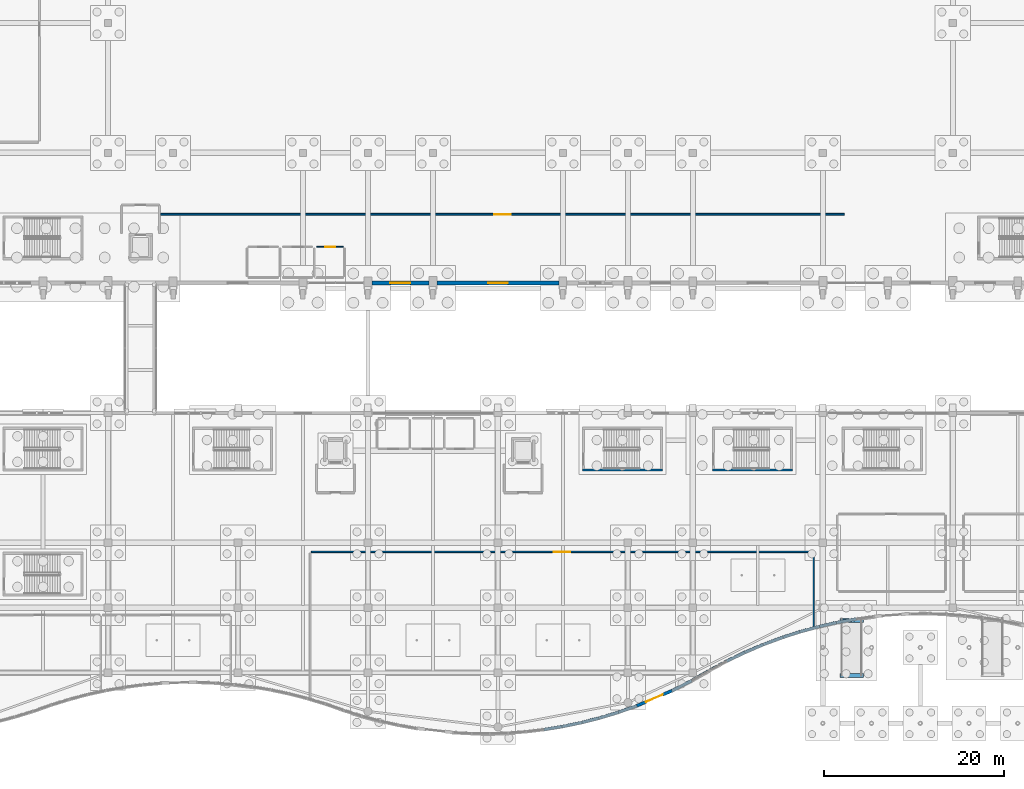
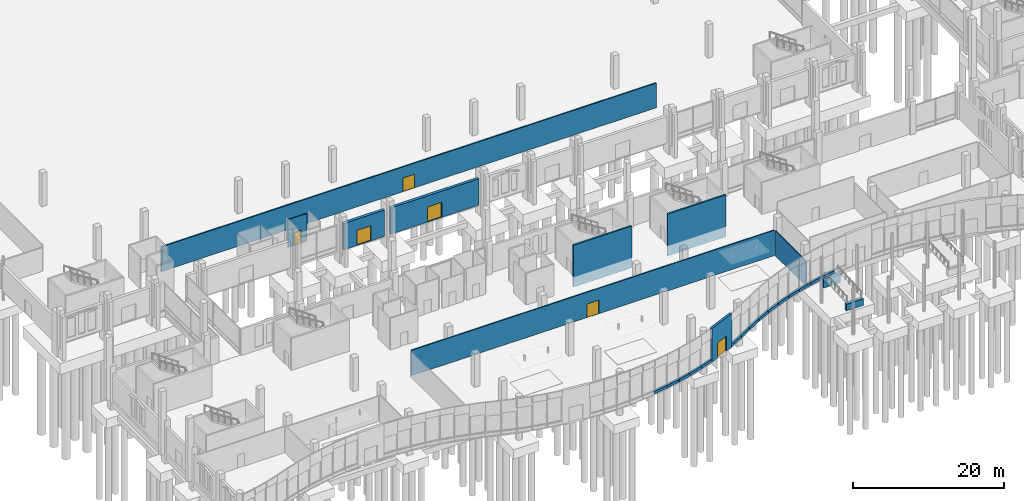
# One storey, part 133 of 192: 26 walls, 6 doors, 6 openings.
"""IFC4 building model written with IfcOpenShell, lengths in metres."""

from ifc_helpers import new_model, si_unit, direction, frame, frame_2d, origin, place, context, subcontext, project, spatial, rectangle, extrude, material, layer, layer_set, type_object, element, fill, save


model = new_model("IFC4")

# Units and contexts
model_context = context("Model", 3, precision=1e-05, world=origin(), true_north=direction((0.0, 1.0)))
body_context = subcontext(model_context, "Body", "Model", "MODEL_VIEW")
ifc_project = project(units=[si_unit("LENGTHUNIT", "METRE"), si_unit("AREAUNIT", "SQUARE_METRE"), si_unit("VOLUMEUNIT", "CUBIC_METRE"), si_unit("PLANEANGLEUNIT", "RADIAN"), si_unit("MASSUNIT", "GRAM", prefix="KILO")], contexts=[model_context])

# Site, building, storey
site_placement = place(None, origin())
site = spatial("IfcSite", under=ifc_project, at=site_placement, CompositionType="ELEMENT")
building_placement = place(site_placement, origin())
building = spatial("IfcBuilding", under=site, at=building_placement, Name="Cendralis Lancet Convention Centre", CompositionType="ELEMENT")
storey_placement = place(building_placement, origin())
storey = spatial("IfcBuildingStorey", under=building, at=storey_placement, Name="L00", CompositionType="ELEMENT", Elevation=0.0)

# Walls
ifc_material_1 = material(Name="Buff sandstone ashlar and Concrete G40 (C40/50)", Category="masonry")
ifc_layer_1 = layer(ifc_material_1, 0.340087890625, Name="Buff sandstone ashlar and Concrete G40 (C40/50)")
ifc_layer_set_1 = layer_set([ifc_layer_1], Name="Buff sandstone ashlar and Concrete G40 (C40/50)")
wall_type_1 = type_object("IfcWallType", Name="ARC-EW-W340", PredefinedType="STANDARD", material=ifc_layer_set_1)
wall_1_placement = place(storey_placement, frame((62.697998046875, 0.911376953125, 0.0), z_axis=(0.0, 0.0, 1.0), x_axis=(0.986905765568, 0.161297891767, 0.0)))
element("IfcWall", 1, at=wall_1_placement, inside=storey, type_object=wall_type_1, Name="South Wave Stone Plinth WP-032-WP-033", PredefinedType="STANDARD", context=body_context, shape_type="SweptSolid", body=[
    extrude(rectangle(XDim=2.221923828125, YDim=0.340087890625, at=frame_2d((1.11083984375, 0.0))), origin(), (0.0, 0.0, 1.0), 0.449951171875),
])
wall_2_placement = place(storey_placement, frame((64.723876953125, 1.23876953125, 0.0), z_axis=(0.0, 0.0, 1.0), x_axis=(0.97908550934, 0.20344917154, 0.0)))
element("IfcWall", 2, at=wall_2_placement, inside=storey, type_object=wall_type_1, Name="South Wave Stone Plinth WP-033-WP-034", PredefinedType="STANDARD", context=body_context, shape_type="SweptSolid", body=[
    extrude(rectangle(XDim=2.2392578125, YDim=0.340087890625, at=frame_2d((1.11962890625, 0.0))), origin(), (0.0, 0.0, 1.0), 0.449951171875),
])
wall_3_placement = place(storey_placement, frame((66.75048828125, 1.656005859375, 0.0), z_axis=(0.0, 0.0, 1.0), x_axis=(0.969258997982, 0.246042668719, 0.0)))
element("IfcWall", 3, at=wall_3_placement, inside=storey, type_object=wall_type_1, Name="South Wave Stone Plinth WP-034-WP-035", PredefinedType="STANDARD", context=body_context, shape_type="SweptSolid", body=[
    extrude(rectangle(XDim=2.25927734375, YDim=0.340087890625, at=frame_2d((1.129638671875, 0.0))), origin(), (0.0, 0.0, 1.0), 0.449951171875),
])
wall_4_placement = place(storey_placement, frame((68.776611328125, 2.16650390625, 0.0), z_axis=(0.0, 0.0, 1.0), x_axis=(0.957628994577, 0.288004702643, 0.0)))
element("IfcWall", 4, at=wall_4_placement, inside=storey, type_object=wall_type_1, Name="South Wave Stone Plinth WP-035-WP-036", PredefinedType="STANDARD", context=body_context, shape_type="SweptSolid", body=[
    extrude(rectangle(XDim=2.284423828125, YDim=0.340087890625, at=frame_2d((1.14208984375, 0.0))), origin(), (0.0, 0.0, 1.0), 0.449951171875),
])
wall_5_placement = place(storey_placement, frame((70.802734375, 2.77197265625, 0.0), z_axis=(0.0, 0.0, 1.0), x_axis=(0.943963520868, 0.330049801197, 0.0)))
element("IfcWall", 5, at=wall_5_placement, inside=storey, type_object=wall_type_1, Name="South Wave Stone Plinth WP-036-WP-037", PredefinedType="STANDARD", context=body_context, shape_type="SweptSolid", body=[
    extrude(rectangle(XDim=2.315185546875, YDim=0.340087890625, at=frame_2d((1.15771484375, 0.0))), origin(), (0.0, 0.0, 1.0), 0.449951171875),
])

# Wall, opening, door
wall_6_placement = place(storey_placement, frame((72.907958984375, 3.508056640625, 0.0), z_axis=(0.0, 0.0, 1.0), x_axis=(0.91917081542, 0.393859127201, 0.0)))
wall_6 = element("IfcWall", 6, at=wall_6_placement, inside=storey, type_object=wall_type_1, Name="Boulevard Wave Entrance Portal Wall WP-037-WP-039", PredefinedType="STANDARD", context=body_context, shape_type="SweptSolid", body=[
    extrude(rectangle(XDim=4.4072265625, YDim=0.340087890625, at=frame_2d((2.20361328125, 0.0))), origin(), (0.0, 0.0, 1.0), 5.39990234375),
])
opening_1_placement = place(wall_6_placement, frame((1.20361328125, 0.0, 0.0)))
opening_1 = element("IfcOpeningElement", 7, at=opening_1_placement, cuts=wall_6, Name="Opening EX-D2", PredefinedType="OPENING", context=body_context, shape_type="SweptSolid", body=[
    extrude(rectangle(XDim=2.0, YDim=2.39990234375, at=frame_2d((1.0, 1.199951171875))), frame((0.0, 0.179931640625, 0.0), z_axis=(0.0, -1.0, 0.0), x_axis=(1.0, 0.0, 0.0)), (0.0, 0.0, 1.0), 0.360107421875),
])
ifc_material_2 = material(Name="Anodised bronze architectural aluminium", Category="aluminium")
door_type_1 = type_object("IfcDoorType", Name="ARC-DR-EX20", OperationType="NOTDEFINED", PredefinedType="DOOR", material=ifc_material_2)
door_1_placement = place(opening_1_placement, frame((2.0, 0.0, 0.0), z_axis=(0.0, 0.0, 1.0), x_axis=(-1.0, 0.0, 0.0)))
door_1 = element("IfcDoor", 8, at=door_1_placement, inside=storey, type_object=door_type_1, Name="L00-D003 Pedestrian Final Exit Door EX-03 #003", OperationType="DOUBLE_DOOR_SINGLE_SWING", OverallHeight=2.39990234375, OverallWidth=2.0, PredefinedType="DOOR", context=body_context, shape_type="SweptSolid", body=[
    extrude(rectangle(XDim=2.0, YDim=2.39990234375, at=frame_2d((1.0, 1.199951171875))), frame((0.0, 0.02490234375, 0.0), z_axis=(0.0, -1.0, 0.0), x_axis=(1.0, 0.0, 0.0)), (0.0, 0.0, 1.0), 0.050048828125),
])
fill(opening_1, door_1)

# Walls
wall_7_placement = place(storey_placement, frame((76.88330078125, 5.205078125, 0.0), z_axis=(0.0, 0.0, 1.0), x_axis=(0.889545097509, 0.456847370024, 0.0)))
element("IfcWall", 9, at=wall_7_placement, inside=storey, type_object=wall_type_1, Name="South Wave Stone Plinth WP-039-WP-040", PredefinedType="STANDARD", context=body_context, shape_type="SweptSolid", body=[
    extrude(rectangle(XDim=2.446533203125, YDim=0.340087890625, at=frame_2d((1.22314453125, 0.0))), origin(), (0.0, 0.0, 1.0), 0.449951171875),
])
wall_8_placement = place(storey_placement, frame((78.91015625, 6.241943359375, 0.0), z_axis=(0.0, 0.0, 1.0), x_axis=(0.86862731291, 0.495466034423, 0.0)))
element("IfcWall", 10, at=wall_8_placement, inside=storey, type_object=wall_type_1, Name="South Wave Stone Plinth WP-040-WP-041", PredefinedType="STANDARD", context=body_context, shape_type="SweptSolid", body=[
    extrude(rectangle(XDim=2.501220703125, YDim=0.340087890625, at=frame_2d((1.25048828125, 0.0))), origin(), (0.0, 0.0, 1.0), 0.449951171875),
])
wall_9_placement = place(storey_placement, frame((80.93408203125, 7.398681640625, 0.0), z_axis=(0.0, 0.0, 1.0), x_axis=(0.88020761941, 0.474588818593, 0.0)))
element("IfcWall", 11, at=wall_9_placement, inside=storey, type_object=wall_type_1, Name="South Wave Stone Plinth WP-041-WP-042", PredefinedType="STANDARD", context=body_context, shape_type="SweptSolid", body=[
    extrude(rectangle(XDim=2.470703125, YDim=0.340087890625, at=frame_2d((1.2353515625, 0.0))), origin(), (0.0, 0.0, 1.0), 0.449951171875),
])
wall_10_placement = place(storey_placement, frame((82.95751953125, 8.494140625, 0.0), z_axis=(0.0, 0.0, 1.0), x_axis=(0.901581367557, 0.432609567247, 0.0)))
element("IfcWall", 12, at=wall_10_placement, inside=storey, type_object=wall_type_1, Name="South Wave Stone Plinth WP-042-WP-043", PredefinedType="STANDARD", context=body_context, shape_type="SweptSolid", body=[
    extrude(rectangle(XDim=2.4169921875, YDim=0.340087890625, at=frame_2d((1.20849609375, 0.0))), origin(), (0.0, 0.0, 1.0), 0.449951171875),
])
wall_11_placement = place(storey_placement, frame((84.981689453125, 9.4697265625, 0.0), z_axis=(0.0, 0.0, 1.0), x_axis=(0.920731016791, 0.39019789174, 0.0)))
element("IfcWall", 13, at=wall_11_placement, inside=storey, type_object=wall_type_1, Name="South Wave Stone Plinth WP-043-WP-044", PredefinedType="STANDARD", context=body_context, shape_type="SweptSolid", body=[
    extrude(rectangle(XDim=2.369384765625, YDim=0.340087890625, at=frame_2d((1.1845703125, 0.0))), origin(), (0.0, 0.0, 1.0), 0.449951171875),
])
wall_12_placement = place(storey_placement, frame((87.00537109375, 10.331298828125, 0.0), z_axis=(0.0, 0.0, 1.0), x_axis=(0.937431134524, 0.348170745504, 0.0)))
element("IfcWall", 14, at=wall_12_placement, inside=storey, type_object=wall_type_1, Name="South Wave Stone Plinth WP-044-WP-045", PredefinedType="STANDARD", context=body_context, shape_type="SweptSolid", body=[
    extrude(rectangle(XDim=2.330078125, YDim=0.340087890625, at=frame_2d((1.1650390625, 0.0))), origin(), (0.0, 0.0, 1.0), 0.449951171875),
])
wall_13_placement = place(storey_placement, frame((89.029052734375, 11.0869140625, 0.0), z_axis=(0.0, 0.0, 1.0), x_axis=(0.951998698531, 0.306102071203, 0.0)))
element("IfcWall", 15, at=wall_13_placement, inside=storey, type_object=wall_type_1, Name="South Wave Stone Plinth WP-045-WP-046", PredefinedType="STANDARD", context=body_context, shape_type="SweptSolid", body=[
    extrude(rectangle(XDim=2.297119140625, YDim=0.340087890625, at=frame_2d((1.1484375, 0.0))), origin(), (0.0, 0.0, 1.0), 0.449951171875),
])
wall_14_placement = place(storey_placement, frame((91.052978515625, 11.74169921875, 0.0), z_axis=(0.0, 0.0, 1.0), x_axis=(0.964609795195, 0.263681518151, 0.0)))
element("IfcWall", 16, at=wall_14_placement, inside=storey, type_object=wall_type_1, Name="South Wave Stone Plinth WP-046-WP-047", PredefinedType="STANDARD", context=body_context, shape_type="SweptSolid", body=[
    extrude(rectangle(XDim=2.270263671875, YDim=0.340087890625, at=frame_2d((1.13525390625, 0.0))), origin(), (0.0, 0.0, 1.0), 0.449951171875),
])
wall_15_placement = place(storey_placement, frame((93.078125, 12.29931640625, 0.0), z_axis=(0.0, 0.0, 1.0), x_axis=(0.97525761738, 0.221071435835, 0.0)))
element("IfcWall", 17, at=wall_15_placement, inside=storey, type_object=wall_type_1, Name="South Wave Stone Plinth WP-047-WP-048", PredefinedType="STANDARD", context=body_context, shape_type="SweptSolid", body=[
    extrude(rectangle(XDim=2.246337890625, YDim=0.340087890625, at=frame_2d((1.123046875, 0.0))), origin(), (0.0, 0.0, 1.0), 0.449951171875),
])
wall_16_placement = place(storey_placement, frame((95.102294921875, 12.76171875, 0.0), z_axis=(0.0, 0.0, 1.0), x_axis=(0.983806745021, 0.179232498313, 0.0)))
element("IfcWall", 18, at=wall_16_placement, inside=storey, type_object=wall_type_1, Name="South Wave Stone Plinth WP-048-WP-049", PredefinedType="STANDARD", context=body_context, shape_type="SweptSolid", body=[
    extrude(rectangle(XDim=2.228515625, YDim=0.340087890625, at=frame_2d((1.1142578125, 0.0))), origin(), (0.0, 0.0, 1.0), 0.449951171875),
])

# Wall, opening, door
ifc_layer_2 = layer(ifc_material_1, 0.419921875, Name="Buff sandstone ashlar and Concrete G40 (C40/50)")
ifc_layer_set_2 = layer_set([ifc_layer_2], Name="Buff sandstone ashlar and Concrete G40 (C40/50)")
wall_type_2 = type_object("IfcWallType", Name="ARC-EW-W420", PredefinedType="STANDARD", material=ifc_layer_set_2)
wall_17_placement = place(storey_placement, frame((49.94189453125, 50.39990234375, 0.0), z_axis=(0.0, 0.0, 1.0), x_axis=(-1.0, 0.0, 0.0)))
wall_17 = element("IfcWall", 19, at=wall_17_placement, inside=storey, type_object=wall_type_2, Name="L00 V1 Exterior Wall EW-01 #0020", PredefinedType="STANDARD", context=body_context, shape_type="SweptSolid", body=[
    extrude(rectangle(XDim=6.308837890625, YDim=0.419921875, at=frame_2d((3.154296875, 0.0))), origin(), (0.0, 0.0, 1.0), 4.2548828125),
])
opening_2_placement = place(wall_17_placement, frame((2.054443359375, 0.0, 0.0)))
opening_2 = element("IfcOpeningElement", 20, at=opening_2_placement, cuts=wall_17, Name="Opening EX-D4", PredefinedType="OPENING", context=body_context, shape_type="SweptSolid", body=[
    extrude(rectangle(XDim=2.199951171875, YDim=2.449951171875, at=frame_2d((1.10009765625, 1.22509765625))), frame((0.0, 0.219970703125, 0.0), z_axis=(0.0, -1.0, 0.0), x_axis=(1.0, 0.0, 0.0)), (0.0, 0.0, 1.0), 0.43994140625),
])
door_type_2 = type_object("IfcDoorType", Name="ARC-DR-EX22", OperationType="NOTDEFINED", PredefinedType="DOOR", material=ifc_material_2)
door_2_placement = place(opening_2_placement, origin())
door_2 = element("IfcDoor", 21, at=door_2_placement, inside=storey, type_object=door_type_2, Name="L00-D016 Pedestrian Final Exit Door EX-16 #016", OperationType="DOUBLE_DOOR_SINGLE_SWING", OverallHeight=2.449951171875, OverallWidth=2.199951171875, PredefinedType="DOOR", context=body_context, shape_type="SweptSolid", body=[
    extrude(rectangle(XDim=2.199951171875, YDim=2.449951171875, at=frame_2d((1.10009765625, 1.22509765625))), frame((0.0, 0.02490234375, 0.0), z_axis=(0.0, -1.0, 0.0), x_axis=(1.0, 0.0, 0.0)), (0.0, 0.0, 1.0), 0.050048828125),
])
fill(opening_2, door_2)

wall_18_placement = place(storey_placement, frame((64.366943359375, 50.39990234375, 0.0), z_axis=(0.0, 0.0, 1.0), x_axis=(-1.0, 0.0, 0.0)))
wall_18 = element("IfcWall", 22, at=wall_18_placement, inside=storey, type_object=wall_type_2, Name="L00 V1 Exterior Wall EW-01 #0021", PredefinedType="STANDARD", context=body_context, shape_type="SweptSolid", body=[
    extrude(rectangle(XDim=13.509033203125, YDim=0.419921875, at=frame_2d((6.75439453125, 0.0))), origin(), (0.0, 0.0, 1.0), 4.2548828125),
])
opening_3_placement = place(wall_18_placement, frame((5.654541015625, 0.0, 0.0)))
opening_3 = element("IfcOpeningElement", 23, at=opening_3_placement, cuts=wall_18, Name="Opening EX-D4", PredefinedType="OPENING", context=body_context, shape_type="SweptSolid", body=[
    extrude(rectangle(XDim=2.199951171875, YDim=2.449951171875, at=frame_2d((1.10009765625, 1.22509765625))), frame((0.0, 0.219970703125, 0.0), z_axis=(0.0, -1.0, 0.0), x_axis=(1.0, 0.0, 0.0)), (0.0, 0.0, 1.0), 0.43994140625),
])
door_3_placement = place(opening_3_placement, origin())
door_3 = element("IfcDoor", 24, at=door_3_placement, inside=storey, type_object=door_type_2, Name="L00-D017 Pedestrian Final Exit Door EX-17 #017", OperationType="DOUBLE_DOOR_SINGLE_SWING", OverallHeight=2.449951171875, OverallWidth=2.199951171875, PredefinedType="DOOR", context=body_context, shape_type="SweptSolid", body=[
    extrude(rectangle(XDim=2.199951171875, YDim=2.449951171875, at=frame_2d((1.10009765625, 1.22509765625))), frame((0.0, 0.02490234375, 0.0), z_axis=(0.0, -1.0, 0.0), x_axis=(1.0, 0.0, 0.0)), (0.0, 0.0, 1.0), 0.050048828125),
])
fill(opening_3, door_3)

ifc_material_3 = material(Name="Acoustic fire-rated gypsum board on steel studs", Category="steel")
ifc_layer_3 = layer(ifc_material_3, 0.1201171875, Name="Acoustic fire-rated gypsum board on steel studs")
ifc_layer_set_3 = layer_set([ifc_layer_3], Name="Acoustic fire-rated gypsum board on steel studs")
wall_type_3 = type_object("IfcWallType", Name="ARC-IW-P120", PredefinedType="PARTITIONING", material=ifc_layer_set_3)
wall_19_placement = place(storey_placement, frame((37.550048828125, 54.39990234375, 0.0), z_axis=(0.0, 0.0, 1.0), x_axis=(1.0, 0.0, 0.0)))
wall_19 = element("IfcWall", 25, at=wall_19_placement, inside=storey, type_object=wall_type_3, Name="L00 Interior Partition IW-05 #0023", PredefinedType="PARTITIONING", context=body_context, shape_type="SweptSolid", body=[
    extrude(rectangle(XDim=2.89990234375, YDim=0.1201171875, at=frame_2d((1.449951171875, 0.0))), origin(), (0.0, 0.0, 1.0), 4.5048828125),
])
opening_4_placement = place(wall_19_placement, frame((0.89990234375, 0.0, 0.0)))
opening_4 = element("IfcOpeningElement", 26, at=opening_4_placement, cuts=wall_19, Name="Opening FD-11", PredefinedType="OPENING", context=body_context, shape_type="SweptSolid", body=[
    extrude(rectangle(XDim=1.10009765625, YDim=2.14990234375, at=frame_2d((0.550048828125, 1.074951171875))), frame((0.0, 0.070068359375, 0.0), z_axis=(0.0, -1.0, 0.0), x_axis=(1.0, 0.0, 0.0)), (0.0, 0.0, 1.0), 0.14013671875),
])
ifc_material_4 = material(Name="Steel S355", Category="steel")
door_type_3 = type_object("IfcDoorType", Name="ARC-DR-FF11", OperationType="NOTDEFINED", PredefinedType="DOOR", material=ifc_material_4)
door_4_placement = place(opening_4_placement, frame((1.10009765625, 0.0, 0.0), z_axis=(0.0, 0.0, 1.0), x_axis=(-1.0, 0.0, 0.0)))
door_4 = element("IfcDoor", 27, at=door_4_placement, inside=storey, type_object=door_type_3, Name="L00-D057 L00 Interior Door FD-11 #0007", OperationType="SINGLE_SWING_LEFT", OverallHeight=2.14990234375, OverallWidth=1.10009765625, PredefinedType="DOOR", context=body_context, shape_type="SweptSolid", body=[
    extrude(rectangle(XDim=1.10009765625, YDim=2.14990234375, at=frame_2d((0.550048828125, 1.074951171875))), frame((0.0, 0.02490234375, 0.0), z_axis=(0.0, -1.0, 0.0), x_axis=(1.0, 0.0, 0.0)), (0.0, 0.0, 1.0), 0.050048828125),
])
fill(opening_4, door_4)

# Wall
ifc_layer_4 = layer(ifc_material_3, 0.139892578125, Name="Acoustic fire-rated gypsum board on steel studs")
ifc_layer_set_4 = layer_set([ifc_layer_4], Name="Acoustic fire-rated gypsum board on steel studs")
wall_type_4 = type_object("IfcWallType", Name="ARC-IW-P140", PredefinedType="PARTITIONING", material=ifc_layer_set_4)
wall_20_placement = place(storey_placement, frame((92.60009765625, 12.233642578125, 0.0), z_axis=(0.0, 0.0, 1.0), x_axis=(0.0, 1.0, 0.0)))
element("IfcWall", 28, at=wall_20_placement, inside=storey, type_object=wall_type_4, Name="L00 Interior Partition IW-04 #0204", PredefinedType="PARTITIONING", context=body_context, shape_type="SweptSolid", body=[
    extrude(rectangle(XDim=8.226318359375, YDim=0.139892578125, at=frame_2d((4.11328125, 0.0))), origin(), (0.0, 0.0, 1.0), 4.054931640625),
])

# Wall, opening, door
ifc_layer_5 = layer(ifc_material_3, 0.159912109375, Name="Acoustic fire-rated gypsum board on steel studs")
ifc_layer_set_5 = layer_set([ifc_layer_5], Name="Acoustic fire-rated gypsum board on steel studs")
wall_type_5 = type_object("IfcWallType", Name="ARC-IW-P160", PredefinedType="PARTITIONING", material=ifc_layer_set_5)
wall_21_placement = place(storey_placement, frame((36.93994140625, 20.60009765625, 0.0), z_axis=(0.0, 0.0, 1.0), x_axis=(1.0, 0.0, 0.0)))
wall_21 = element("IfcWall", 29, at=wall_21_placement, inside=storey, type_object=wall_type_5, Name="L00 Interior Partition IW-03 #0203", PredefinedType="PARTITIONING", context=body_context, shape_type="SweptSolid", body=[
    extrude(rectangle(XDim=55.52001953125, YDim=0.159912109375, at=frame_2d((27.760009765625, 0.0))), origin(), (0.0, 0.0, 1.0), 4.10498046875),
])
opening_5_placement = place(wall_21_placement, frame((26.860107421875, 0.0, 0.0)))
opening_5 = element("IfcOpeningElement", 30, at=opening_5_placement, cuts=wall_21, Name="Opening ID-18", PredefinedType="OPENING", context=body_context, shape_type="SweptSolid", body=[
    extrude(rectangle(XDim=1.800048828125, YDim=2.199951171875, at=frame_2d((0.89990234375, 1.10009765625))), frame((0.0, 0.08984375, 0.0), z_axis=(0.0, -1.0, 0.0), x_axis=(1.0, 0.0, 0.0)), (0.0, 0.0, 1.0), 0.179931640625),
])
ifc_material_5 = material(Name="Acoustic Chilean lenga timber and steel fire leaf", Category="steel")
door_type_4 = type_object("IfcDoorType", Name="ARC-DR-DB18", OperationType="NOTDEFINED", PredefinedType="DOOR", material=ifc_material_5)
door_5_placement = place(opening_5_placement, frame((1.800048828125, 0.0, 0.0), z_axis=(0.0, 0.0, 1.0), x_axis=(-1.0, 0.0, 0.0)))
door_5 = element("IfcDoor", 31, at=door_5_placement, inside=storey, type_object=door_type_4, Name="L00-D074 L00 Interior Door ID-18 #0067", OperationType="DOUBLE_DOOR_SINGLE_SWING", OverallHeight=2.199951171875, OverallWidth=1.800048828125, PredefinedType="DOOR", context=body_context, shape_type="SweptSolid", body=[
    extrude(rectangle(XDim=1.800048828125, YDim=2.199951171875, at=frame_2d((0.89990234375, 1.10009765625))), frame((0.0, 0.02490234375, 0.0), z_axis=(0.0, -1.0, 0.0), x_axis=(1.0, 0.0, 0.0)), (0.0, 0.0, 1.0), 0.050048828125),
])
fill(opening_5, door_5)

ifc_layer_6 = layer(ifc_material_3, 0.179931640625, Name="Acoustic fire-rated gypsum board on steel studs")
ifc_layer_set_6 = layer_set([ifc_layer_6], Name="Acoustic fire-rated gypsum board on steel studs")
wall_type_6 = type_object("IfcWallType", Name="ARC-IW-P180", PredefinedType="PARTITIONING", material=ifc_layer_set_6)
wall_22_placement = place(storey_placement, frame((20.219970703125, 58.0, 0.0), z_axis=(0.0, 0.0, 1.0), x_axis=(1.0, 0.0, 0.0)))
wall_22 = element("IfcWall", 32, at=wall_22_placement, inside=storey, type_object=wall_type_6, Name="L00 Interior Partition IW-02 #0001", PredefinedType="PARTITIONING", context=body_context, shape_type="SweptSolid", body=[
    extrude(rectangle(XDim=75.780029296875, YDim=0.179931640625, at=frame_2d((37.89013671875, 0.0))), origin(), (0.0, 0.0, 1.0), 4.0048828125),
])
opening_6_placement = place(wall_22_placement, frame((36.989990234375, 0.0, 0.0)))
opening_6 = element("IfcOpeningElement", 33, at=opening_6_placement, cuts=wall_22, Name="Opening ID-18", PredefinedType="OPENING", context=body_context, shape_type="SweptSolid", body=[
    extrude(rectangle(XDim=1.800048828125, YDim=2.199951171875, at=frame_2d((0.89990234375, 1.10009765625))), frame((0.0, 0.099853515625, 0.0), z_axis=(0.0, -1.0, 0.0), x_axis=(1.0, 0.0, 0.0)), (0.0, 0.0, 1.0), 0.199951171875),
])
door_6_placement = place(opening_6_placement, frame((1.800048828125, 0.0, 0.0), z_axis=(0.0, 0.0, 1.0), x_axis=(-1.0, 0.0, 0.0)))
door_6 = element("IfcDoor", 34, at=door_6_placement, inside=storey, type_object=door_type_4, Name="L00-D051 L00 Interior Door ID-18 #0001", OperationType="DOUBLE_DOOR_SINGLE_SWING", OverallHeight=2.199951171875, OverallWidth=1.800048828125, PredefinedType="DOOR", context=body_context, shape_type="SweptSolid", body=[
    extrude(rectangle(XDim=1.800048828125, YDim=2.199951171875, at=frame_2d((0.89990234375, 1.10009765625))), frame((0.0, 0.02490234375, 0.0), z_axis=(0.0, -1.0, 0.0), x_axis=(1.0, 0.0, 0.0)), (0.0, 0.0, 1.0), 0.050048828125),
])
fill(opening_6, door_6)

# Walls
ifc_material_6 = material(Name="Concrete G40 (C40/50)", Category="concrete")
ifc_layer_7 = layer(ifc_material_6, 0.25, Name="Concrete G40 (C40/50)")
ifc_layer_set_7 = layer_set([ifc_layer_7], Name="Concrete G40 (C40/50)")
wall_type_7 = type_object("IfcWallType", Name="STR-SW-CW250", PredefinedType="SHEAR", material=ifc_layer_set_7)
wall_23_placement = place(storey_placement, frame((66.949951171875, 29.675048828125, -1.64990234375), z_axis=(0.0, 0.0, 1.0), x_axis=(1.0, 0.0, 0.0)))
element("IfcWall", 35, at=wall_23_placement, inside=storey, type_object=wall_type_7, Name="L00 Stair Core ST-12 South Shear Wall", PredefinedType="SHEAR", context=body_context, shape_type="SweptSolid", body=[
    extrude(rectangle(XDim=8.900146484375, YDim=0.25, at=frame_2d((4.4501953125, 0.0))), origin(), (0.0, 0.0, 1.0), 6.77001953125),
])
wall_24_placement = place(storey_placement, frame((81.35009765625, 29.675048828125, -1.64990234375), z_axis=(0.0, 0.0, 1.0), x_axis=(1.0, 0.0, 0.0)))
element("IfcWall", 36, at=wall_24_placement, inside=storey, type_object=wall_type_7, Name="L00 Stair Core ST-21 South Shear Wall", PredefinedType="SHEAR", context=body_context, shape_type="SweptSolid", body=[
    extrude(rectangle(XDim=8.89990234375, YDim=0.25, at=frame_2d((4.449951171875, 0.0))), origin(), (0.0, 0.0, 1.0), 6.77001953125),
])
ifc_material_7 = material(Name="Concrete G35 (C35/45)", Category="concrete")
ifc_layer_8 = layer(ifc_material_7, 0.39990234375, Name="Concrete G35 (C35/45)")
ifc_layer_set_8 = layer_set([ifc_layer_8], Name="Concrete G35 (C35/45)")
wall_type_8 = type_object("IfcWallType", Name="STR-WL-RPSTEM", PredefinedType="SHEAR", material=ifc_layer_set_8)
wall_25_placement = place(storey_placement, frame((95.5, 6.89990234375, -1.64990234375), z_axis=(0.0, 0.0, 1.0), x_axis=(1.0, 0.0, 0.0)))
element("IfcWall", 37, at=wall_25_placement, inside=storey, type_object=wall_type_8, Name="Ramp RP-01 Toe Stem Wall", PredefinedType="SHEAR", context=body_context, shape_type="SweptSolid", body=[
    extrude(rectangle(XDim=2.60009765625, YDim=0.39990234375, at=frame_2d((1.300048828125, 0.0))), origin(), (0.0, 0.0, 1.0), 1.06982421875),
])
wall_26_placement = place(storey_placement, frame((95.5, 12.989013671875, -1.64990234375), z_axis=(0.0, 0.0, 1.0), x_axis=(1.0, 0.0, 0.0)))
element("IfcWall", 38, at=wall_26_placement, inside=storey, type_object=wall_type_8, Name="Ramp RP-01 Head Stem Wall", PredefinedType="SHEAR", context=body_context, shape_type="SweptSolid", body=[
    extrude(rectangle(XDim=2.60009765625, YDim=0.39990234375, at=frame_2d((1.300048828125, 0.0))), origin(), (0.0, 0.0, 1.0), 1.409912109375),
])

save(model, "model.ifc")
